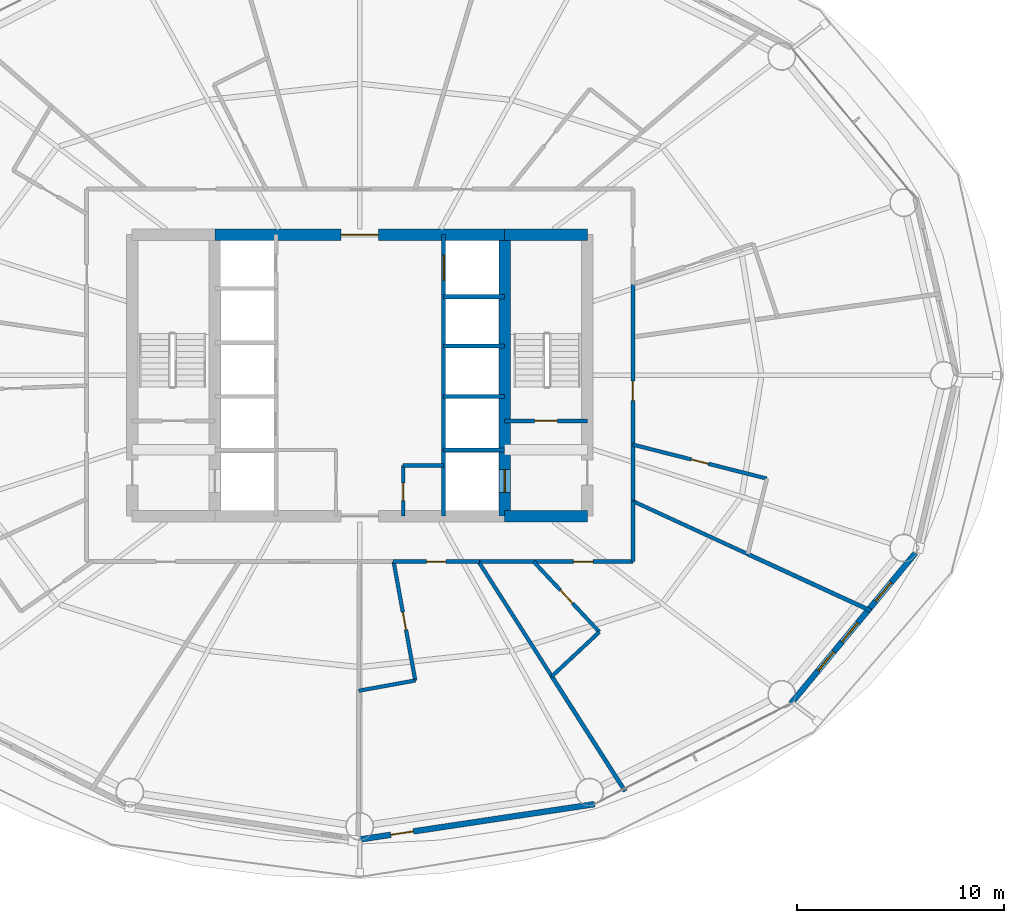
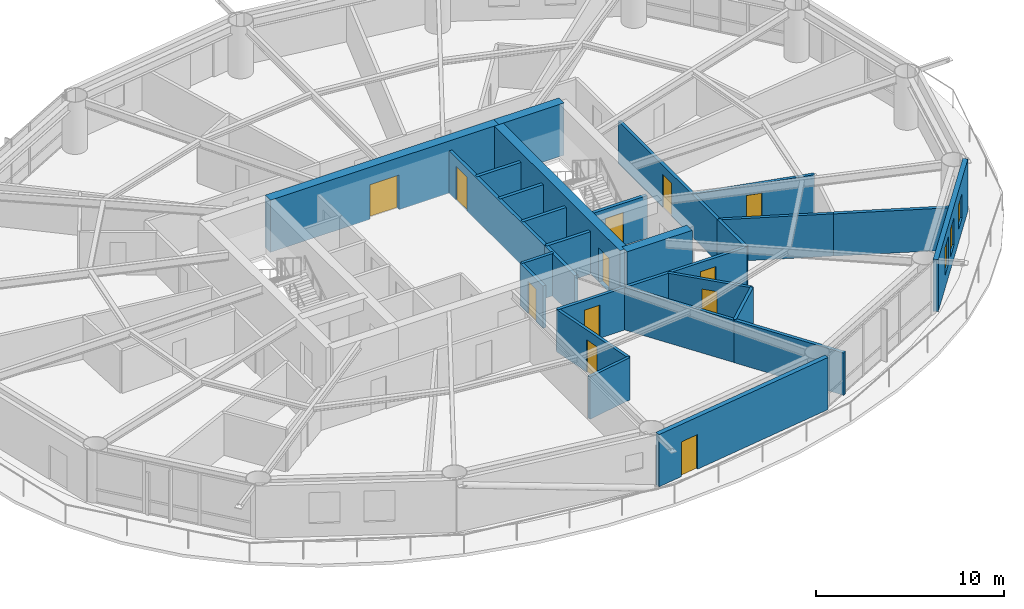
# One storey, part 19 of 24: 28 walls, 12 doors, 3 windows, 15 openings.
"""IFC4 building model written with IfcOpenShell, lengths in metres."""

from ifc_helpers import new_model, si_unit, direction, frame, frame_2d, origin, place, context, subcontext, project, spatial, rectangle, extrude, material, layer, layer_set, type_object, element, fill, save


model = new_model("IFC4")

# Units and contexts
model_context = context("Model", 3, precision=1e-05, world=origin(), true_north=direction((0.0, 1.0)))
body_context = subcontext(model_context, "Body", "Model", "MODEL_VIEW")
ifc_project = project(units=[si_unit("LENGTHUNIT", "METRE"), si_unit("AREAUNIT", "SQUARE_METRE"), si_unit("VOLUMEUNIT", "CUBIC_METRE"), si_unit("PLANEANGLEUNIT", "RADIAN"), si_unit("MASSUNIT", "GRAM", prefix="KILO")], contexts=[model_context])

# Site, building, storey
site_placement = place(None, origin())
site = spatial("IfcSite", under=ifc_project, at=site_placement, CompositionType="ELEMENT")
building_placement = place(site_placement, origin())
building = spatial("IfcBuilding", under=site, at=building_placement, Name="Sarneth Arch Tower", CompositionType="ELEMENT")
storey_placement = place(building_placement, frame((0.0, 0.0, 123.60009765625)))
storey = spatial("IfcBuildingStorey", under=building, at=storey_placement, Name="L31", CompositionType="ELEMENT", Elevation=123.60009765625)

# Wall
ifc_material_1 = material(Name="Concrete C60/75", Category="concrete")
ifc_layer_1 = layer(ifc_material_1, 0.550048828125)
ifc_layer_set_1 = layer_set([ifc_layer_1], Name="Concrete C60/75")
wall_type_1 = type_object("IfcWallType", Name="WALL-CORE-550", PredefinedType="SHEAR", material=ifc_layer_set_1)
wall_1_placement = place(storey_placement, frame((55.0, 35.199951171875, 0.0), z_axis=(0.0, 0.0, 1.0), x_axis=(1.0, 0.0, 0.0)))
element("IfcWall", 1, at=wall_1_placement, inside=storey, type_object=wall_type_1, Name="L31 Core shear wall S-E", PredefinedType="SHEAR", context=body_context, shape_type="SweptSolid", body=[
    extrude(rectangle(XDim=4.0, YDim=0.550048828125, at=frame_2d((2.0, 0.0))), origin(), (0.0, 0.0, 1.0), 3.3798828125),
])

# Wall, opening, door
wall_2_placement = place(storey_placement, frame((41.0, 48.800048828125, 0.0), z_axis=(0.0, 0.0, 1.0), x_axis=(1.0, 0.0, 0.0)))
wall_2 = element("IfcWall", 2, at=wall_2_placement, inside=storey, type_object=wall_type_1, Name="L31 Core shear wall N-M", PredefinedType="SHEAR", context=body_context, shape_type="SweptSolid", body=[
    extrude(rectangle(XDim=14.0, YDim=0.550048828125, at=frame_2d((7.0, 0.0))), origin(), (0.0, 0.0, 1.0), 3.3798828125),
])
opening_1_placement = place(wall_2_placement, frame((6.10009765625, 0.0, 0.0)))
opening_1 = element("IfcOpeningElement", 3, at=opening_1_placement, cuts=wall_2, Name="Opening FD-01", PredefinedType="OPENING", context=body_context, shape_type="SweptSolid", body=[
    extrude(rectangle(XDim=1.800048828125, YDim=2.25, at=frame_2d((0.89990234375, 1.125))), frame((0.0, 0.284912109375, 0.0), z_axis=(0.0, -1.0, 0.0), x_axis=(1.0, 0.0, 0.0)), (0.0, 0.0, 1.0), 0.570068359375),
])
ifc_material_2 = material(Name="Galvanised Steel S275 fire door set", Category="steel")
door_type_1 = type_object("IfcDoorType", Name="DR-FD90-1800", OperationType="DOUBLE_DOOR_SINGLE_SWING", PredefinedType="DOOR", material=ifc_material_2)
door_1_placement = place(opening_1_placement, origin())
door_1 = element("IfcDoor", 4, at=door_1_placement, inside=storey, type_object=door_type_1, Name="L31 Central lift lobby north door", OperationType="DOUBLE_DOOR_SINGLE_SWING", OverallHeight=2.25, OverallWidth=1.800048828125, PredefinedType="DOOR", context=body_context, shape_type="SweptSolid", body=[
    extrude(rectangle(XDim=1.800048828125, YDim=2.25, at=frame_2d((0.89990234375, 1.125))), frame((0.0, 0.02490234375, 0.0), z_axis=(0.0, -1.0, 0.0), x_axis=(1.0, 0.0, 0.0)), (0.0, 0.0, 1.0), 0.050048828125),
])
fill(opening_1, door_1)

# Wall
wall_3_placement = place(storey_placement, frame((55.0, 48.800048828125, 0.0), z_axis=(0.0, 0.0, 1.0), x_axis=(1.0, 0.0, 0.0)))
element("IfcWall", 5, at=wall_3_placement, inside=storey, type_object=wall_type_1, Name="L31 Core shear wall N-E", PredefinedType="SHEAR", context=body_context, shape_type="SweptSolid", body=[
    extrude(rectangle(XDim=4.0, YDim=0.550048828125, at=frame_2d((2.0, 0.0))), origin(), (0.0, 0.0, 1.0), 3.3798828125),
])

# Wall, opening, door
wall_4_placement = place(storey_placement, frame((55.0, 35.199951171875, 0.0), z_axis=(0.0, 0.0, 1.0), x_axis=(0.0, 1.0, 0.0)))
wall_4 = element("IfcWall", 6, at=wall_4_placement, inside=storey, type_object=wall_type_1, Name="L31 Core shear wall WEB-E", PredefinedType="SHEAR", context=body_context, shape_type="SweptSolid", body=[
    extrude(rectangle(XDim=13.60009765625, YDim=0.550048828125, at=frame_2d((6.800048828125, 0.0))), origin(), (0.0, 0.0, 1.0), 3.3798828125),
])
opening_2_placement = place(wall_4_placement, frame((1.14990234375, 0.0, 0.0)))
opening_2 = element("IfcOpeningElement", 7, at=opening_2_placement, cuts=wall_4, Name="Opening LD-1", PredefinedType="OPENING", context=body_context, shape_type="SweptSolid", body=[
    extrude(rectangle(XDim=1.10009765625, YDim=2.199951171875, at=frame_2d((0.550048828125, 1.10009765625))), frame((0.0, 0.284912109375, 0.0), z_axis=(0.0, -1.0, 0.0), x_axis=(1.0, 0.0, 0.0)), (0.0, 0.0, 1.0), 0.570068359375),
])
ifc_material_3 = material(Name="Brushed Stainless Steel 304 lift landing door", Category="steel")
door_type_2 = type_object("IfcDoorType", Name="DR-LIFT-SLIDE-1100", OperationType="SLIDING_TO_LEFT", PredefinedType="DOOR", material=ifc_material_3)
door_2_placement = place(opening_2_placement, origin())
door_2 = element("IfcDoor", 8, at=door_2_placement, inside=storey, type_object=door_type_2, Name="L31 Firefighting lift landing door FL-2", OperationType="SLIDING_TO_RIGHT", OverallHeight=2.199951171875, OverallWidth=1.10009765625, PredefinedType="DOOR", context=body_context, shape_type="SweptSolid", body=[
    extrude(rectangle(XDim=1.10009765625, YDim=2.199951171875, at=frame_2d((0.550048828125, 1.10009765625))), frame((0.0, 0.02490234375, 0.0), z_axis=(0.0, -1.0, 0.0), x_axis=(1.0, 0.0, 0.0)), (0.0, 0.0, 1.0), 0.050048828125),
])
fill(opening_2, door_2)

ifc_material_4 = material(Name="Double steel-stud corridor fire wall", Category="steel")
ifc_layer_2 = layer(ifc_material_4, 0.18994140625)
ifc_layer_set_2 = layer_set([ifc_layer_2], Name="Double steel-stud corridor fire wall")
wall_type_2 = type_object("IfcWallType", Name="WALL-CORR-190", PredefinedType="PARTITIONING", material=ifc_layer_set_2)
wall_5_placement = place(storey_placement, frame((61.199951171875, 46.450439453125, 0.0), z_axis=(0.0, 0.0, 1.0), x_axis=(0.0, -1.0, 0.0)))
wall_5 = element("IfcWall", 9, at=wall_5_placement, inside=storey, type_object=wall_type_2, Name="L31 Interior partition W-L31-TP-023", PredefinedType="PARTITIONING", context=body_context, shape_type="SweptSolid", body=[
    extrude(rectangle(XDim=10.564453125, YDim=0.18994140625, at=frame_2d((5.2822265625, 0.0))), origin(), (0.0, 0.0, 1.0), 2.739990234375),
])
opening_3_placement = place(wall_5_placement, frame((4.7216796875, 0.0, 0.0)))
opening_3 = element("IfcOpeningElement", 10, at=opening_3_placement, cuts=wall_5, Name="Opening FD-09", PredefinedType="OPENING", context=body_context, shape_type="SweptSolid", body=[
    extrude(rectangle(XDim=0.949951171875, YDim=2.14990234375, at=frame_2d((0.47509765625, 1.074951171875))), frame((0.0, 0.10498046875, 0.0), z_axis=(0.0, -1.0, 0.0), x_axis=(1.0, 0.0, 0.0)), (0.0, 0.0, 1.0), 0.2099609375),
])
ifc_material_5 = material(Name="Hardwood timber hotel entrance fire door", Category="wood")
door_type_3 = type_object("IfcDoorType", Name="DR-FD60-950", OperationType="SINGLE_SWING_RIGHT", PredefinedType="DOOR", material=ifc_material_5)
door_3_placement = place(opening_3_placement, origin())
door_3 = element("IfcDoor", 11, at=door_3_placement, inside=storey, type_object=door_type_3, Name="L31 Interior door DR-L31-KEY-11", OperationType="SINGLE_SWING_LEFT", OverallHeight=2.14990234375, OverallWidth=0.949951171875, PredefinedType="DOOR", context=body_context, shape_type="SweptSolid", body=[
    extrude(rectangle(XDim=0.949951171875, YDim=2.14990234375, at=frame_2d((0.47509765625, 1.074951171875))), frame((0.0, 0.02490234375, 0.0), z_axis=(0.0, -1.0, 0.0), x_axis=(1.0, 0.0, 0.0)), (0.0, 0.0, 1.0), 0.050048828125),
])
fill(opening_3, door_3)

wall_6_placement = place(storey_placement, frame((53.705810546875, 33.0, 0.0), z_axis=(0.0, 0.0, 1.0), x_axis=(1.0, 0.0, 0.0)))
wall_6 = element("IfcWall", 12, at=wall_6_placement, inside=storey, type_object=wall_type_2, Name="L31 Interior partition W-L31-TP-020", PredefinedType="PARTITIONING", context=body_context, shape_type="SweptSolid", body=[
    extrude(rectangle(XDim=7.494140625, YDim=0.18994140625, at=frame_2d((3.7470703125, 0.0))), origin(), (0.0, 0.0, 1.0), 2.739990234375),
])
opening_4_placement = place(wall_6_placement, frame((4.622314453125, 0.0, 0.0)))
opening_4 = element("IfcOpeningElement", 13, at=opening_4_placement, cuts=wall_6, Name="Opening FD-09", PredefinedType="OPENING", context=body_context, shape_type="SweptSolid", body=[
    extrude(rectangle(XDim=0.949951171875, YDim=2.14990234375, at=frame_2d((0.47509765625, 1.074951171875))), frame((0.0, 0.10498046875, 0.0), z_axis=(0.0, -1.0, 0.0), x_axis=(1.0, 0.0, 0.0)), (0.0, 0.0, 1.0), 0.2099609375),
])
door_4_placement = place(opening_4_placement, origin())
door_4 = element("IfcDoor", 14, at=door_4_placement, inside=storey, type_object=door_type_3, Name="L31 Interior door DR-L31-KEY-10", OperationType="SINGLE_SWING_RIGHT", OverallHeight=2.14990234375, OverallWidth=0.949951171875, PredefinedType="DOOR", context=body_context, shape_type="SweptSolid", body=[
    extrude(rectangle(XDim=0.949951171875, YDim=2.14990234375, at=frame_2d((0.47509765625, 1.074951171875))), frame((0.0, 0.02490234375, 0.0), z_axis=(0.0, -1.0, 0.0), x_axis=(1.0, 0.0, 0.0)), (0.0, 0.0, 1.0), 0.050048828125),
])
fill(opening_4, door_4)

wall_7_placement = place(storey_placement, frame((53.78173828125, 33.0, 0.0), z_axis=(0.0, 0.0, 1.0), x_axis=(-1.0, 0.0, 0.0)))
wall_7 = element("IfcWall", 15, at=wall_7_placement, inside=storey, type_object=wall_type_2, Name="L31 Interior partition W-L31-TP-018", PredefinedType="PARTITIONING", context=body_context, shape_type="SweptSolid", body=[
    extrude(rectangle(XDim=4.17578125, YDim=0.18994140625, at=frame_2d((2.087890625, 0.0))), origin(), (0.0, 0.0, 1.0), 2.739990234375),
])
opening_5_placement = place(wall_7_placement, frame((1.61279296875, 0.0, 0.0)))
opening_5 = element("IfcOpeningElement", 16, at=opening_5_placement, cuts=wall_7, Name="Opening FD-09", PredefinedType="OPENING", context=body_context, shape_type="SweptSolid", body=[
    extrude(rectangle(XDim=0.949951171875, YDim=2.14990234375, at=frame_2d((0.47509765625, 1.074951171875))), frame((0.0, 0.10498046875, 0.0), z_axis=(0.0, -1.0, 0.0), x_axis=(1.0, 0.0, 0.0)), (0.0, 0.0, 1.0), 0.2099609375),
])
door_5_placement = place(opening_5_placement, origin())
door_5 = element("IfcDoor", 17, at=door_5_placement, inside=storey, type_object=door_type_3, Name="L31 Interior door DR-L31-KEY-09", OperationType="SINGLE_SWING_RIGHT", OverallHeight=2.14990234375, OverallWidth=0.949951171875, PredefinedType="DOOR", context=body_context, shape_type="SweptSolid", body=[
    extrude(rectangle(XDim=0.949951171875, YDim=2.14990234375, at=frame_2d((0.47509765625, 1.074951171875))), frame((0.0, 0.02490234375, 0.0), z_axis=(0.0, -1.0, 0.0), x_axis=(1.0, 0.0, 0.0)), (0.0, 0.0, 1.0), 0.050048828125),
])
fill(opening_5, door_5)

# Wall
wall_8_placement = place(storey_placement, frame((61.199951171875, 33.0, 0.0), z_axis=(0.0, 0.0, 1.0), x_axis=(0.0, 1.0, 0.0)))
element("IfcWall", 18, at=wall_8_placement, inside=storey, type_object=wall_type_2, Name="L31 Interior partition W-L31-TP-021", PredefinedType="PARTITIONING", context=body_context, shape_type="SweptSolid", body=[
    extrude(rectangle(XDim=2.921142578125, YDim=0.18994140625, at=frame_2d((1.46044921875, 0.0))), origin(), (0.0, 0.0, 1.0), 2.739990234375),
])

# Wall, opening, door
ifc_material_6 = material(Name="Extruded terracotta rainscreen on Concrete C40/50 backing", Category="masonry")
ifc_layer_3 = layer(ifc_material_6, 0.280029296875)
ifc_layer_set_3 = layer_set([ifc_layer_3], Name="Extruded terracotta rainscreen on Concrete C40/50 backing")
wall_type_3 = type_object("IfcWallType", Name="WALL-EXT-TERRA-280", PredefinedType="SOLIDWALL", material=ifc_layer_set_3)
wall_9_placement = place(storey_placement, frame((48.0, 19.570068359375, 0.0), z_axis=(0.0, 0.0, 1.0), x_axis=(0.988877774656, 0.148730450117, 0.0)))
wall_9 = element("IfcWall", 19, at=wall_9_placement, inside=storey, type_object=wall_type_3, Name="L31 Terracotta perimeter wall 13", PredefinedType="SOLIDWALL", context=body_context, shape_type="SweptSolid", body=[
    extrude(rectangle(XDim=11.47900390625, YDim=0.280029296875, at=frame_2d((5.739501953125, 0.0))), origin(), (0.0, 0.0, 1.0), 3.3798828125),
])
opening_6_placement = place(wall_9_placement, frame((1.523681640625, 0.0, 0.0)))
opening_6 = element("IfcOpeningElement", 20, at=opening_6_placement, cuts=wall_9, Name="Opening BD-3", PredefinedType="OPENING", context=body_context, shape_type="SweptSolid", body=[
    extrude(rectangle(XDim=1.10009765625, YDim=2.25, at=frame_2d((0.550048828125, 1.125))), frame((0.0, 0.14990234375, 0.0), z_axis=(0.0, -1.0, 0.0), x_axis=(1.0, 0.0, 0.0)), (0.0, 0.0, 1.0), 0.300048828125),
])
ifc_material_7 = material(Name="Thermally broken Aluminium 6063-T6 and laminated safety glass", Category="aluminium")
door_type_4 = type_object("IfcDoorType", Name="DR-BALC-GLZ-1100", OperationType="SINGLE_SWING_LEFT", PredefinedType="DOOR", material=ifc_material_7)
door_6_placement = place(opening_6_placement, origin())
door_6 = element("IfcDoor", 21, at=door_6_placement, inside=storey, type_object=door_type_4, Name="L31 Balcony glazed door 13", OperationType="SINGLE_SWING_LEFT", OverallHeight=2.25, OverallWidth=1.10009765625, PredefinedType="DOOR", context=body_context, shape_type="SweptSolid", body=[
    extrude(rectangle(XDim=1.10009765625, YDim=2.25, at=frame_2d((0.550048828125, 1.125))), frame((0.0, 0.02490234375, 0.0), z_axis=(0.0, -1.0, 0.0), x_axis=(1.0, 0.0, 0.0)), (0.0, 0.0, 1.0), 0.050048828125),
])
fill(opening_6, door_6)

# Wall, openings, windows
wall_10_placement = place(storey_placement, frame((68.840087890625, 26.1396484375, 0.0), z_axis=(0.0, 0.0, 1.0), x_axis=(0.637505817448, 0.770445541696, 0.0)))
wall_10 = element("IfcWall", 22, at=wall_10_placement, inside=storey, type_object=wall_type_3, Name="L31 Terracotta perimeter wall 15", PredefinedType="SOLIDWALL", context=body_context, shape_type="SweptSolid", body=[
    extrude(rectangle(XDim=9.445068359375, YDim=0.280029296875, at=frame_2d((4.72265625, 0.0))), origin(), (0.0, 0.0, 1.0), 3.3798828125),
])
opening_7_placement = place(wall_10_placement, frame((2.06298828125, 0.0, 0.85009765625)))
opening_7 = element("IfcOpeningElement", 23, at=opening_7_placement, cuts=wall_10, Name="Opening W-09", PredefinedType="OPENING", context=body_context, shape_type="SweptSolid", body=[
    extrude(rectangle(XDim=1.199951171875, YDim=1.800048828125, at=frame_2d((0.60009765625, 0.89990234375))), frame((0.0, 0.14990234375, 0.0), z_axis=(0.0, -1.0, 0.0), x_axis=(1.0, 0.0, 0.0)), (0.0, 0.0, 1.0), 0.300048828125),
])
opening_8_placement = place(wall_10_placement, frame((3.864990234375, 0.0, 0.85009765625)))
opening_8 = element("IfcOpeningElement", 24, at=opening_8_placement, cuts=wall_10, Name="Opening W-09", PredefinedType="OPENING", context=body_context, shape_type="SweptSolid", body=[
    extrude(rectangle(XDim=1.199951171875, YDim=1.800048828125, at=frame_2d((0.60009765625, 0.89990234375))), frame((0.0, 0.14990234375, 0.0), z_axis=(0.0, -1.0, 0.0), x_axis=(1.0, 0.0, 0.0)), (0.0, 0.0, 1.0), 0.300048828125),
])
opening_9_placement = place(wall_10_placement, frame((6.4169921875, 0.0, 0.85009765625)))
opening_9 = element("IfcOpeningElement", 25, at=opening_9_placement, cuts=wall_10, Name="Opening W-10", PredefinedType="OPENING", context=body_context, shape_type="SweptSolid", body=[
    extrude(rectangle(XDim=1.199951171875, YDim=1.60009765625, at=frame_2d((0.60009765625, 0.800048828125))), frame((0.0, 0.14990234375, 0.0), z_axis=(0.0, -1.0, 0.0), x_axis=(1.0, 0.0, 0.0)), (0.0, 0.0, 1.0), 0.300048828125),
])
ifc_material_8 = material(Name="Thermally broken Aluminium 6063-T6 and low-e laminated IGU", Category="aluminium")
window_type_1 = type_object("IfcWindowType", Name="WIN-TWR-1200x1600", PartitioningType="SINGLE_PANEL", PredefinedType="WINDOW", material=ifc_material_8)
window_1_placement = place(opening_9_placement, origin())
window_1 = element("IfcWindow", 26, at=window_1_placement, inside=storey, type_object=window_type_1, Name="L31 Exterior window 15C", OverallHeight=1.60009765625, OverallWidth=1.199951171875, PartitioningType="SINGLE_PANEL", PredefinedType="WINDOW", context=body_context, shape_type="SweptSolid", body=[
    extrude(rectangle(XDim=1.199951171875, YDim=1.60009765625, at=frame_2d((0.60009765625, 0.800048828125))), frame((0.0, 0.030029296875, 0.0), z_axis=(0.0, -1.0, 0.0), x_axis=(1.0, 0.0, 0.0)), (0.0, 0.0, 1.0), 0.06005859375),
])
fill(opening_9, window_1)
ifc_material_9 = material(Name="Thermally broken Aluminium 6063-T6 and low-e laminated IGU", Category="aluminium")
window_type_2 = type_object("IfcWindowType", Name="WIN-TWR-1200x1800", PartitioningType="SINGLE_PANEL", PredefinedType="WINDOW", material=ifc_material_9)
window_2_placement = place(opening_7_placement, origin())
window_2 = element("IfcWindow", 27, at=window_2_placement, inside=storey, type_object=window_type_2, Name="L31 Exterior window 15A", OverallHeight=1.800048828125, OverallWidth=1.199951171875, PartitioningType="SINGLE_PANEL", PredefinedType="WINDOW", context=body_context, shape_type="SweptSolid", body=[
    extrude(rectangle(XDim=1.199951171875, YDim=1.800048828125, at=frame_2d((0.60009765625, 0.89990234375))), frame((0.0, 0.030029296875, 0.0), z_axis=(0.0, -1.0, 0.0), x_axis=(1.0, 0.0, 0.0)), (0.0, 0.0, 1.0), 0.06005859375),
])
fill(opening_7, window_2)
window_3_placement = place(opening_8_placement, origin())
window_3 = element("IfcWindow", 28, at=window_3_placement, inside=storey, type_object=window_type_2, Name="L31 Exterior window 15B", OverallHeight=1.800048828125, OverallWidth=1.199951171875, PartitioningType="SINGLE_PANEL", PredefinedType="WINDOW", context=body_context, shape_type="SweptSolid", body=[
    extrude(rectangle(XDim=1.199951171875, YDim=1.800048828125, at=frame_2d((0.60009765625, 0.89990234375))), frame((0.0, 0.030029296875, 0.0), z_axis=(0.0, -1.0, 0.0), x_axis=(1.0, 0.0, 0.0)), (0.0, 0.0, 1.0), 0.06005859375),
])
fill(opening_8, window_3)

# Wall
ifc_material_10 = material(Name="Moisture-resistant plumbing chase wall", Category="gypsum")
ifc_layer_4 = layer(ifc_material_10, 0.179931640625)
ifc_layer_set_4 = layer_set([ifc_layer_4], Name="Moisture-resistant plumbing chase wall")
wall_type_4 = type_object("IfcWallType", Name="WALL-PLUMB-180", PredefinedType="PLUMBINGWALL", material=ifc_layer_set_4)
wall_11_placement = place(storey_placement, frame((50.10009765625, 37.64990234375, 0.0), z_axis=(0.0, 0.0, 1.0), x_axis=(1.0, 0.0, 0.0)))
element("IfcWall", 29, at=wall_11_placement, inside=storey, type_object=wall_type_4, Name="L31 Interior partition W-L31-AWC-N", PredefinedType="PLUMBINGWALL", context=body_context, shape_type="SweptSolid", body=[
    extrude(rectangle(XDim=1.949951171875, YDim=0.179931640625, at=frame_2d((0.97509765625, 0.0))), origin(), (0.0, 0.0, 1.0), 2.739990234375),
])

# Wall, opening, door
wall_12_placement = place(storey_placement, frame((50.10009765625, 35.199951171875, 0.0), z_axis=(0.0, 0.0, 1.0), x_axis=(0.0, 1.0, 0.0)))
wall_12 = element("IfcWall", 30, at=wall_12_placement, inside=storey, type_object=wall_type_4, Name="L31 Interior partition W-L31-AWC-W", PredefinedType="PLUMBINGWALL", context=body_context, shape_type="SweptSolid", body=[
    extrude(rectangle(XDim=2.449951171875, YDim=0.179931640625, at=frame_2d((1.22509765625, 0.0))), origin(), (0.0, 0.0, 1.0), 2.739990234375),
])
opening_10_placement = place(wall_12_placement, frame((0.75, 0.0, 0.0)))
opening_10 = element("IfcOpeningElement", 31, at=opening_10_placement, cuts=wall_12, Name="Opening ID-02", PredefinedType="OPENING", context=body_context, shape_type="SweptSolid", body=[
    extrude(rectangle(XDim=0.85009765625, YDim=2.10009765625, at=frame_2d((0.425048828125, 1.050048828125))), frame((0.0, 0.099853515625, 0.0), z_axis=(0.0, -1.0, 0.0), x_axis=(1.0, 0.0, 0.0)), (0.0, 0.0, 1.0), 0.199951171875),
])
ifc_material_11 = material(Name="Moisture-resistant bathroom timber door", Category="wood")
door_type_5 = type_object("IfcDoorType", Name="DR-INT-850", OperationType="SINGLE_SWING_RIGHT", PredefinedType="DOOR", material=ifc_material_11)
door_7_placement = place(opening_10_placement, origin())
door_7 = element("IfcDoor", 32, at=door_7_placement, inside=storey, type_object=door_type_5, Name="L31 Interior door DR-L31-AWC", OperationType="SINGLE_SWING_RIGHT", OverallHeight=2.10009765625, OverallWidth=0.85009765625, PredefinedType="DOOR", context=body_context, shape_type="SweptSolid", body=[
    extrude(rectangle(XDim=0.85009765625, YDim=2.10009765625, at=frame_2d((0.425048828125, 1.050048828125))), frame((0.0, 0.02490234375, 0.0), z_axis=(0.0, -1.0, 0.0), x_axis=(1.0, 0.0, 0.0)), (0.0, 0.0, 1.0), 0.050048828125),
])
fill(opening_10, door_7)

wall_13_placement = place(storey_placement, frame((61.199951171875, 38.6533203125, 0.0), z_axis=(0.0, 0.0, 1.0), x_axis=(0.96932048276, -0.24580032893, 0.0)))
wall_13 = element("IfcWall", 33, at=wall_13_placement, inside=storey, type_object=wall_type_4, Name="L31 Interior partition W-L31-TP-061", PredefinedType="PLUMBINGWALL", context=body_context, shape_type="SweptSolid", body=[
    extrude(rectangle(XDim=6.68359375, YDim=0.179931640625, at=frame_2d((3.341796875, 0.0))), origin(), (0.0, 0.0, 1.0), 2.739990234375),
])
opening_11_placement = place(wall_13_placement, frame((2.916748046875, 0.0, 0.0)))
opening_11 = element("IfcOpeningElement", 34, at=opening_11_placement, cuts=wall_13, Name="Opening ID-02", PredefinedType="OPENING", context=body_context, shape_type="SweptSolid", body=[
    extrude(rectangle(XDim=0.85009765625, YDim=2.10009765625, at=frame_2d((0.425048828125, 1.050048828125))), frame((0.0, 0.099853515625, 0.0), z_axis=(0.0, -1.0, 0.0), x_axis=(1.0, 0.0, 0.0)), (0.0, 0.0, 1.0), 0.199951171875),
])
door_8_placement = place(opening_11_placement, origin())
door_8 = element("IfcDoor", 35, at=door_8_placement, inside=storey, type_object=door_type_5, Name="L31 Interior door DR-L31-ENS-11", OperationType="SINGLE_SWING_LEFT", OverallHeight=2.10009765625, OverallWidth=0.85009765625, PredefinedType="DOOR", context=body_context, shape_type="SweptSolid", body=[
    extrude(rectangle(XDim=0.85009765625, YDim=2.10009765625, at=frame_2d((0.425048828125, 1.050048828125))), frame((0.0, 0.02490234375, 0.0), z_axis=(0.0, -1.0, 0.0), x_axis=(1.0, 0.0, 0.0)), (0.0, 0.0, 1.0), 0.050048828125),
])
fill(opening_11, door_8)

# Walls
wall_14_placement = place(storey_placement, frame((57.282958984375, 27.454345703125, 0.0), z_axis=(0.0, 0.0, 1.0), x_axis=(-0.537984400251, 0.842954794213, 0.0)))
element("IfcWall", 36, at=wall_14_placement, inside=storey, type_object=wall_type_4, Name="L31 Interior partition W-L31-TP-056", PredefinedType="PLUMBINGWALL", context=body_context, shape_type="SweptSolid", body=[
    extrude(rectangle(XDim=6.578857421875, YDim=0.179931640625, at=frame_2d((3.28955078125, 0.0))), origin(), (0.0, 0.0, 1.0), 2.739990234375),
])
wall_15_placement = place(storey_placement, frame((66.75390625, 33.36328125, 0.0), z_axis=(0.0, 0.0, 1.0), x_axis=(-0.908301480607, 0.418316172681, 0.0)))
element("IfcWall", 37, at=wall_15_placement, inside=storey, type_object=wall_type_4, Name="L31 Interior partition W-L31-TP-060", PredefinedType="PLUMBINGWALL", context=body_context, shape_type="SweptSolid", body=[
    extrude(rectangle(XDim=6.11474609375, YDim=0.179931640625, at=frame_2d((3.057373046875, 0.0))), origin(), (0.0, 0.0, 1.0), 2.739990234375),
])

# Wall, opening, door
wall_16_placement = place(storey_placement, frame((49.638427734375, 33.0, 0.0), z_axis=(0.0, 0.0, 1.0), x_axis=(0.179135653645, -0.983824383512, 0.0)))
wall_16 = element("IfcWall", 38, at=wall_16_placement, inside=storey, type_object=wall_type_4, Name="L31 Interior partition W-L31-TP-053", PredefinedType="PLUMBINGWALL", context=body_context, shape_type="SweptSolid", body=[
    extrude(rectangle(XDim=5.838623046875, YDim=0.179931640625, at=frame_2d((2.91943359375, 0.0))), origin(), (0.0, 0.0, 1.0), 2.739990234375),
])
opening_12_placement = place(wall_16_placement, frame((2.494384765625, 0.0, 0.0)))
opening_12 = element("IfcOpeningElement", 39, at=opening_12_placement, cuts=wall_16, Name="Opening ID-02", PredefinedType="OPENING", context=body_context, shape_type="SweptSolid", body=[
    extrude(rectangle(XDim=0.85009765625, YDim=2.10009765625, at=frame_2d((0.425048828125, 1.050048828125))), frame((0.0, 0.099853515625, 0.0), z_axis=(0.0, -1.0, 0.0), x_axis=(1.0, 0.0, 0.0)), (0.0, 0.0, 1.0), 0.199951171875),
])
door_9_placement = place(opening_12_placement, origin())
door_9 = element("IfcDoor", 40, at=door_9_placement, inside=storey, type_object=door_type_5, Name="L31 Interior door DR-L31-ENS-09", OperationType="SINGLE_SWING_LEFT", OverallHeight=2.10009765625, OverallWidth=0.85009765625, PredefinedType="DOOR", context=body_context, shape_type="SweptSolid", body=[
    extrude(rectangle(XDim=0.85009765625, YDim=2.10009765625, at=frame_2d((0.425048828125, 1.050048828125))), frame((0.0, 0.02490234375, 0.0), z_axis=(0.0, -1.0, 0.0), x_axis=(1.0, 0.0, 0.0)), (0.0, 0.0, 1.0), 0.050048828125),
])
fill(opening_12, door_9)

wall_17_placement = place(storey_placement, frame((56.406005859375, 33.0, 0.0), z_axis=(0.0, 0.0, 1.0), x_axis=(0.682578142961, -0.730812615348, 0.0)))
wall_17 = element("IfcWall", 41, at=wall_17_placement, inside=storey, type_object=wall_type_4, Name="L31 Interior partition W-L31-TP-057", PredefinedType="PLUMBINGWALL", context=body_context, shape_type="SweptSolid", body=[
    extrude(rectangle(XDim=4.651611328125, YDim=0.179931640625, at=frame_2d((2.32568359375, 0.0))), origin(), (0.0, 0.0, 1.0), 2.739990234375),
])
opening_13_placement = place(wall_17_placement, frame((1.900634765625, 0.0, 0.0)))
opening_13 = element("IfcOpeningElement", 42, at=opening_13_placement, cuts=wall_17, Name="Opening ID-02", PredefinedType="OPENING", context=body_context, shape_type="SweptSolid", body=[
    extrude(rectangle(XDim=0.85009765625, YDim=2.10009765625, at=frame_2d((0.425048828125, 1.050048828125))), frame((0.0, 0.099853515625, 0.0), z_axis=(0.0, -1.0, 0.0), x_axis=(1.0, 0.0, 0.0)), (0.0, 0.0, 1.0), 0.199951171875),
])
door_10_placement = place(opening_13_placement, origin())
door_10 = element("IfcDoor", 43, at=door_10_placement, inside=storey, type_object=door_type_5, Name="L31 Interior door DR-L31-ENS-10", OperationType="SINGLE_SWING_LEFT", OverallHeight=2.10009765625, OverallWidth=0.85009765625, PredefinedType="DOOR", context=body_context, shape_type="SweptSolid", body=[
    extrude(rectangle(XDim=0.85009765625, YDim=2.10009765625, at=frame_2d((0.425048828125, 1.050048828125))), frame((0.0, 0.02490234375, 0.0), z_axis=(0.0, -1.0, 0.0), x_axis=(1.0, 0.0, 0.0)), (0.0, 0.0, 1.0), 0.050048828125),
])
fill(opening_13, door_10)

# Walls
wall_18_placement = place(storey_placement, frame((59.5810546875, 29.6005859375, 0.0), z_axis=(0.0, 0.0, 1.0), x_axis=(-0.730840933831, -0.682547822088, 0.0)))
element("IfcWall", 44, at=wall_18_placement, inside=storey, type_object=wall_type_4, Name="L31 Interior partition W-L31-TP-058", PredefinedType="PLUMBINGWALL", context=body_context, shape_type="SweptSolid", body=[
    extrude(rectangle(XDim=3.14453125, YDim=0.179931640625, at=frame_2d((1.572265625, 0.0))), origin(), (0.0, 0.0, 1.0), 2.739990234375),
])
wall_19_placement = place(storey_placement, frame((50.684326171875, 27.255859375, 0.0), z_axis=(0.0, 0.0, 1.0), x_axis=(-0.983824875987, -0.17913294892, 0.0)))
element("IfcWall", 45, at=wall_19_placement, inside=storey, type_object=wall_type_4, Name="L31 Interior partition W-L31-TP-054", PredefinedType="PLUMBINGWALL", context=body_context, shape_type="SweptSolid", body=[
    extrude(rectangle(XDim=2.777587890625, YDim=0.179931640625, at=frame_2d((1.388671875, 0.0))), origin(), (0.0, 0.0, 1.0), 2.739990234375),
])

# Wall, opening, door
ifc_material_12 = material(Name="Aerated concrete blockwork C25/30", Category="masonry")
ifc_layer_5 = layer(ifc_material_12, 0.199951171875)
ifc_layer_set_5 = layer_set([ifc_layer_5], Name="Aerated concrete blockwork C25/30")
wall_type_5 = type_object("IfcWallType", Name="WALL-SHAFT-200", PredefinedType="SOLIDWALL", material=ifc_layer_set_5)
wall_20_placement = place(storey_placement, frame((55.0, 39.800048828125, 0.0), z_axis=(0.0, 0.0, 1.0), x_axis=(1.0, 0.0, 0.0)))
wall_20 = element("IfcWall", 46, at=wall_20_placement, inside=storey, type_object=wall_type_5, Name="L31 Interior partition W-L31-ST2-S", PredefinedType="SOLIDWALL", context=body_context, shape_type="SweptSolid", body=[
    extrude(rectangle(XDim=4.0, YDim=0.199951171875, at=frame_2d((2.0, 0.0))), origin(), (0.0, 0.0, 1.0), 2.739990234375),
])
opening_14_placement = place(wall_20_placement, frame((1.449951171875, 0.0, 0.0)))
opening_14 = element("IfcOpeningElement", 47, at=opening_14_placement, cuts=wall_20, Name="Opening FD-03", PredefinedType="OPENING", context=body_context, shape_type="SweptSolid", body=[
    extrude(rectangle(XDim=1.10009765625, YDim=2.14990234375, at=frame_2d((0.550048828125, 1.074951171875))), frame((0.0, 0.10986328125, 0.0), z_axis=(0.0, -1.0, 0.0), x_axis=(1.0, 0.0, 0.0)), (0.0, 0.0, 1.0), 0.219970703125),
])
ifc_material_13 = material(Name="Galvanised Steel S275 fire door set", Category="steel")
door_type_6 = type_object("IfcDoorType", Name="DR-FD90-1100", OperationType="SINGLE_SWING_LEFT", PredefinedType="DOOR", material=ifc_material_13)
door_11_placement = place(opening_14_placement, origin())
door_11 = element("IfcDoor", 48, at=door_11_placement, inside=storey, type_object=door_type_6, Name="L31 Interior door DR-L31-ST2", OperationType="SINGLE_SWING_RIGHT", OverallHeight=2.14990234375, OverallWidth=1.10009765625, PredefinedType="DOOR", context=body_context, shape_type="SweptSolid", body=[
    extrude(rectangle(XDim=1.10009765625, YDim=2.14990234375, at=frame_2d((0.550048828125, 1.074951171875))), frame((0.0, 0.02490234375, 0.0), z_axis=(0.0, -1.0, 0.0), x_axis=(1.0, 0.0, 0.0)), (0.0, 0.0, 1.0), 0.050048828125),
])
fill(opening_14, door_11)

# Walls
wall_21_placement = place(storey_placement, frame((52.050048828125, 35.199951171875, 0.0), z_axis=(0.0, 0.0, 1.0), x_axis=(0.0, 1.0, 0.0)))
element("IfcWall", 49, at=wall_21_placement, inside=storey, type_object=wall_type_5, Name="L31 Interior partition W-L31-FL2-W", PredefinedType="SOLIDWALL", context=body_context, shape_type="SweptSolid", body=[
    extrude(rectangle(XDim=3.199951171875, YDim=0.199951171875, at=frame_2d((1.60009765625, 0.0))), origin(), (0.0, 0.0, 1.0), 2.739990234375),
])
wall_22_placement = place(storey_placement, frame((52.050048828125, 38.39990234375, 0.0), z_axis=(0.0, 0.0, 1.0), x_axis=(1.0, 0.0, 0.0)))
element("IfcWall", 50, at=wall_22_placement, inside=storey, type_object=wall_type_5, Name="L31 Interior partition W-L31-FL2-N", PredefinedType="SOLIDWALL", context=body_context, shape_type="SweptSolid", body=[
    extrude(rectangle(XDim=2.949951171875, YDim=0.199951171875, at=frame_2d((1.47509765625, 0.0))), origin(), (0.0, 0.0, 1.0), 2.739990234375),
])

# Wall, opening, door
wall_23_placement = place(storey_placement, frame((52.050048828125, 38.39990234375, 0.0), z_axis=(0.0, 0.0, 1.0), x_axis=(0.0, 1.0, 0.0)))
wall_23 = element("IfcWall", 51, at=wall_23_placement, inside=storey, type_object=wall_type_5, Name="L31 Interior partition W-L31-EASTBANK-FRONT", PredefinedType="SOLIDWALL", context=body_context, shape_type="SweptSolid", body=[
    extrude(rectangle(XDim=10.400146484375, YDim=0.199951171875, at=frame_2d((5.2001953125, 0.0))), origin(), (0.0, 0.0, 1.0), 2.739990234375),
])
opening_15_placement = place(wall_23_placement, frame((8.199951171875, 0.0, 0.0)))
opening_15 = element("IfcOpeningElement", 52, at=opening_15_placement, cuts=wall_23, Name="Opening LD-2", PredefinedType="OPENING", context=body_context, shape_type="SweptSolid", body=[
    extrude(rectangle(XDim=1.199951171875, YDim=2.199951171875, at=frame_2d((0.60009765625, 1.10009765625))), frame((0.0, 0.10986328125, 0.0), z_axis=(0.0, -1.0, 0.0), x_axis=(1.0, 0.0, 0.0)), (0.0, 0.0, 1.0), 0.219970703125),
])
ifc_material_14 = material(Name="Brushed Stainless Steel 304 service lift door", Category="steel")
door_type_7 = type_object("IfcDoorType", Name="DR-LIFT-SLIDE-1200", OperationType="SLIDING_TO_RIGHT", PredefinedType="DOOR", material=ifc_material_14)
door_12_placement = place(opening_15_placement, origin())
door_12 = element("IfcDoor", 53, at=door_12_placement, inside=storey, type_object=door_type_7, Name="L31 Lift landing door DR-L31-LD-SL1", OperationType="SLIDING_TO_RIGHT", OverallHeight=2.199951171875, OverallWidth=1.199951171875, PredefinedType="DOOR", context=body_context, shape_type="SweptSolid", body=[
    extrude(rectangle(XDim=1.199951171875, YDim=2.199951171875, at=frame_2d((0.60009765625, 1.10009765625))), frame((0.0, 0.02490234375, 0.0), z_axis=(0.0, -1.0, 0.0), x_axis=(1.0, 0.0, 0.0)), (0.0, 0.0, 1.0), 0.050048828125),
])
fill(opening_15, door_12)

# Walls
for number, where, z_axis, x_axis, name in (
    (54, (52.050048828125, 40.97998046875, 0.0), (0.0, 0.0, 1.0), (1.0, 0.0, 0.0), "L31 Interior partition W-L31-EB-DIV-4098"),
    (55, (52.050048828125, 43.419921875, 0.0), (0.0, 0.0, 1.0), (1.0, 0.0, 0.0), "L31 Interior partition W-L31-EB-DIV-4342"),
    (56, (52.050048828125, 45.800048828125, 0.0), (0.0, 0.0, 1.0), (1.0, 0.0, 0.0), "L31 Interior partition W-L31-EB-DIV-4580"),
):
    element("IfcWall", number, at=place(storey_placement, frame(where, z_axis=z_axis, x_axis=x_axis)), inside=storey, type_object=wall_type_5, Name=name, PredefinedType="SOLIDWALL", context=body_context, shape_type="SweptSolid", body=[
        extrude(rectangle(XDim=2.949951171875, YDim=0.199951171875, at=frame_2d((1.47509765625, 0.0))), origin(), (0.0, 0.0, 1.0), 2.739990234375),
    ])
ifc_material_15 = material(Name="Double steel-stud acoustic drywall", Category="steel")
ifc_layer_6 = layer(ifc_material_15, 0.199951171875)
ifc_layer_set_6 = layer_set([ifc_layer_6], Name="Double steel-stud acoustic drywall")
wall_type_6 = type_object("IfcWallType", Name="WALL-UNIT-200", PredefinedType="PARTITIONING", material=ifc_layer_set_6)
wall_24_placement = place(storey_placement, frame((60.827880859375, 21.899658203125, 0.0), z_axis=(0.0, 0.0, 1.0), x_axis=(-0.537968238966, 0.842965108331, 0.0)))
element("IfcWall", 57, at=wall_24_placement, inside=storey, type_object=wall_type_6, Name="L31 Interior partition W-L31-TP-055", PredefinedType="PARTITIONING", context=body_context, shape_type="SweptSolid", body=[
    extrude(rectangle(XDim=6.58935546875, YDim=0.199951171875, at=frame_2d((3.294677734375, 0.0))), origin(), (0.0, 0.0, 1.0), 2.739990234375),
])
wall_25_placement = place(storey_placement, frame((72.701416015625, 30.624267578125, 0.0), z_axis=(0.0, 0.0, 1.0), x_axis=(-0.9083071886, 0.418303778536, 0.0)))
element("IfcWall", 58, at=wall_25_placement, inside=storey, type_object=wall_type_6, Name="L31 Interior partition W-L31-TP-059", PredefinedType="PARTITIONING", context=body_context, shape_type="SweptSolid", body=[
    extrude(rectangle(XDim=6.5478515625, YDim=0.199951171875, at=frame_2d((3.27392578125, 0.0))), origin(), (0.0, 0.0, 1.0), 2.739990234375),
])

save(model, "model.ifc")
